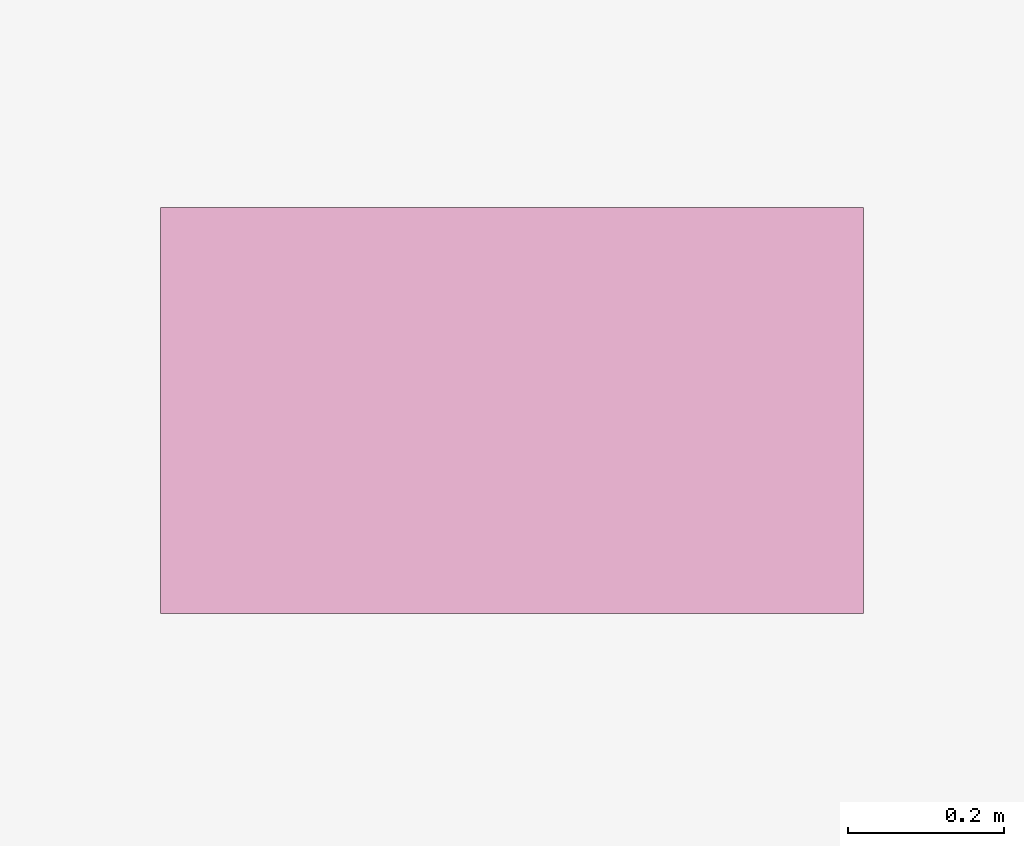
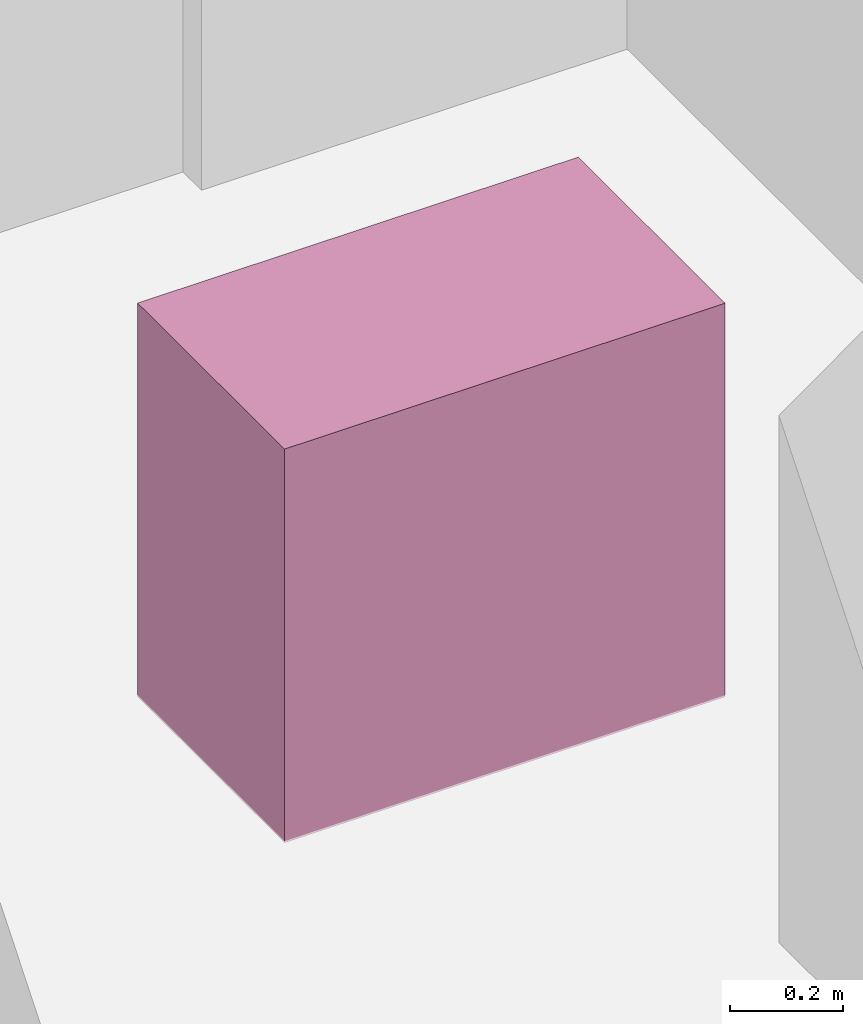
# One storey, part 34 of 34: 1 furnishing.
"""IFC4 building model written with IfcOpenShell, lengths in metres."""

from ifc_helpers import new_model, si_unit, direction, frame, origin, origin_2d, place, context, subcontext, project, spatial, rectangle, extrude, material, type_object, element, save


model = new_model("IFC4")

# Units and contexts
model_context = context("Model", 3, precision=1e-05, world=origin(), true_north=direction((0.0, 1.0)))
body_context = subcontext(model_context, "Body", "Model", "MODEL_VIEW")
ifc_project = project(units=[si_unit("LENGTHUNIT", "METRE"), si_unit("AREAUNIT", "SQUARE_METRE"), si_unit("VOLUMEUNIT", "CUBIC_METRE"), si_unit("PLANEANGLEUNIT", "RADIAN"), si_unit("MASSUNIT", "GRAM", prefix="KILO")], contexts=[model_context])

# Site, building, storey
site_placement = place(None, origin())
site = spatial("IfcSite", under=ifc_project, at=site_placement, CompositionType="ELEMENT")
building_placement = place(site_placement, origin())
building = spatial("IfcBuilding", under=site, at=building_placement, Name="Vorneva Point Tower", CompositionType="ELEMENT")
storey_placement = place(building_placement, frame((0.0, 0.0, 27.5)))
storey = spatial("IfcBuildingStorey", under=building, at=storey_placement, Name="L06", CompositionType="ELEMENT", Elevation=27.5)

# Furnishing
ifc_material = material(Name="Vitreous china and granite top", Category="masonry")
furniture_type = type_object("IfcFurnitureType", Name="FUR-VAN-900", AssemblyPlace="NOTDEFINED", PredefinedType="NOTDEFINED", material=ifc_material)
furnishing_placement = place(storey_placement, frame((34.85009765625, 32.1201171875, -0.005126953125), z_axis=(0.0, 0.0, 1.0), x_axis=(1.0, 0.0, 0.0)))
element("IfcFurnishingElement", 1, at=furnishing_placement, inside=storey, type_object=furniture_type, Name="L06 Public Male WC Vanity Unit", ObjectType="L06 Public Male WC Vanity Unit", context=body_context, shape_type="SweptSolid", body=[
    extrude(rectangle(XDim=0.89990234375, YDim=0.52001953125, at=origin_2d()), origin(), (0.0, 0.0, 1.0), 0.85009765625),
])

save(model, "model.ifc")
